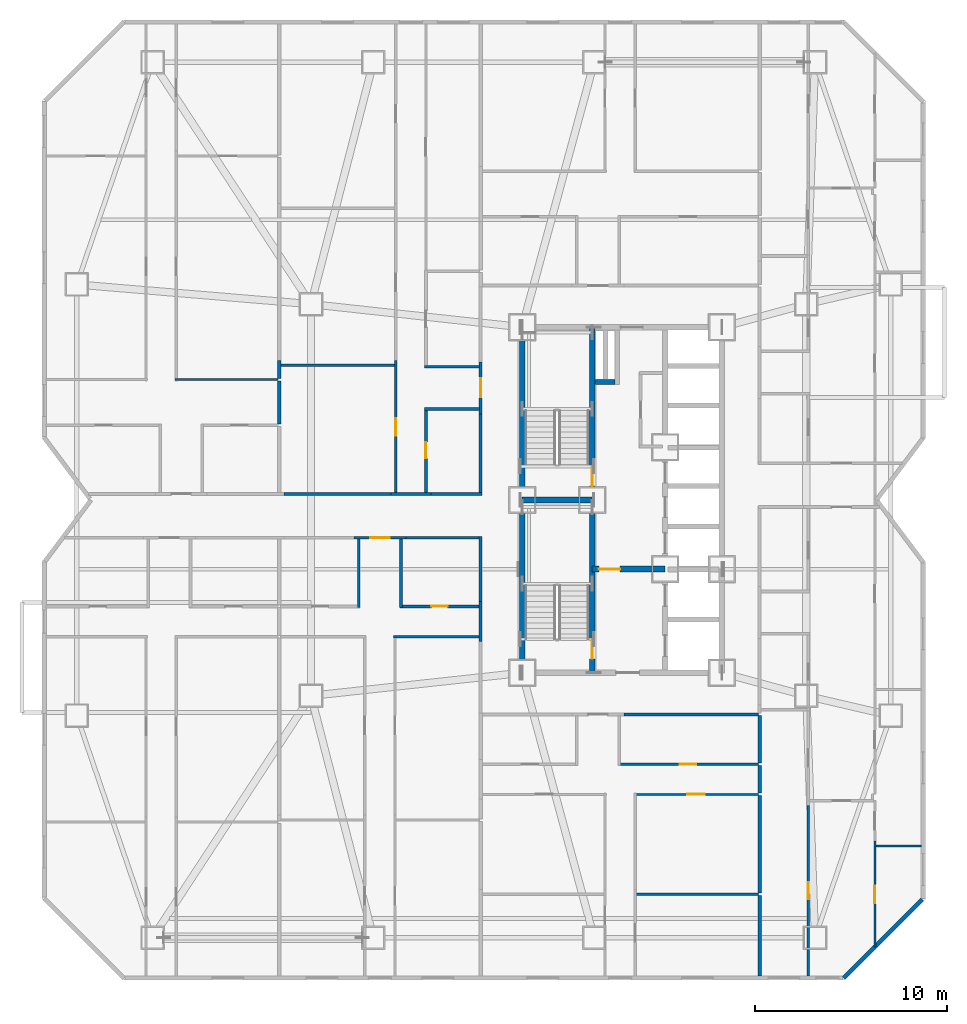
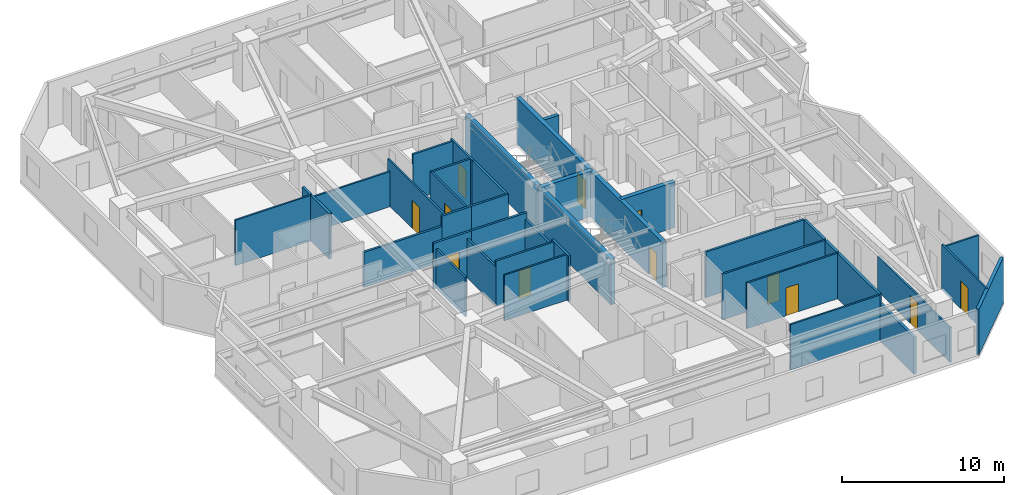
# One storey, part 9 of 14: 40 walls, 12 doors, 12 openings.
"""IFC4 building model written with IfcOpenShell, lengths in metres."""

from ifc_helpers import new_model, si_unit, direction, frame, frame_2d, origin, place, context, subcontext, project, spatial, rectangle, extrude, material, layer, layer_set, type_object, element, fill, save


model = new_model("IFC4")

# Units and contexts
model_context = context("Model", 3, precision=1e-05, world=origin(), true_north=direction((0.0, 1.0)))
body_context = subcontext(model_context, "Body", "Model", "MODEL_VIEW")
ifc_project = project(units=[si_unit("LENGTHUNIT", "METRE"), si_unit("AREAUNIT", "SQUARE_METRE"), si_unit("VOLUMEUNIT", "CUBIC_METRE"), si_unit("PLANEANGLEUNIT", "RADIAN"), si_unit("MASSUNIT", "GRAM", prefix="KILO")], contexts=[model_context])

# Site, building, storey
site_placement = place(None, origin())
site = spatial("IfcSite", under=ifc_project, at=site_placement, CompositionType="ELEMENT")
building_placement = place(site_placement, origin())
building = spatial("IfcBuilding", under=site, at=building_placement, Name="Khamvora Tower", CompositionType="ELEMENT")
storey_placement = place(building_placement, frame((0.0, 0.0, 40.60009765625)))
storey = spatial("IfcBuildingStorey", under=building, at=storey_placement, Name="L09", CompositionType="ELEMENT", Elevation=40.60009765625)

# Walls
ifc_material_1 = material(Name="Concrete C50/60", Category="concrete")
ifc_layer_1 = layer(ifc_material_1, 0.300048828125)
ifc_layer_set_1 = layer_set([ifc_layer_1], Name="Concrete C50/60")
wall_type_1 = type_object("IfcWallType", Name="WAL-CORE-300", PredefinedType="SHEAR", material=ifc_layer_set_1)
for number, where, z_axis, x_axis, name in (
    (1, (29.0, 19.0, 0.0), (0.0, 0.0, 1.0), (0.0, 1.0, 0.0), "L09 central core west south wall"),
    (2, (29.0, 28.0, 0.0), (0.0, 0.0, 1.0), (0.0, 1.0, 0.0), "L09 central core west north wall"),
):
    element("IfcWall", number, at=place(storey_placement, frame(where, z_axis=z_axis, x_axis=x_axis)), inside=storey, type_object=wall_type_1, Name=name, PredefinedType="SHEAR", context=body_context, shape_type="SweptSolid", body=[
        extrude(rectangle(XDim=9.0, YDim=0.300048828125, at=frame_2d((4.5, 0.0))), origin(), (0.0, 0.0, 1.0), 3.429931640625),
    ])

# Wall, opening, door
wall_1_placement = place(storey_placement, frame((32.64990234375, 19.0, 0.0), z_axis=(0.0, 0.0, 1.0), x_axis=(0.0, 1.0, 0.0)))
wall_1 = element("IfcWall", 3, at=wall_1_placement, inside=storey, type_object=wall_type_1, Name="L09 central core stair south spine wall", PredefinedType="SHEAR", context=body_context, shape_type="SweptSolid", body=[
    extrude(rectangle(XDim=9.0, YDim=0.300048828125, at=frame_2d((4.5, 0.0))), origin(), (0.0, 0.0, 1.0), 3.429931640625),
])
opening_1_placement = place(wall_1_placement, frame((0.719970703125, 0.0, 0.0)))
opening_1 = element("IfcOpeningElement", 4, at=opening_1_placement, cuts=wall_1, Name="Opening D-ST1", PredefinedType="OPENING", context=body_context, shape_type="SweptSolid", body=[
    extrude(rectangle(XDim=1.0, YDim=2.14990234375, at=frame_2d((0.5, 1.074951171875))), frame((0.0, 0.159912109375, 0.0), z_axis=(0.0, -1.0, 0.0), x_axis=(1.0, 0.0, 0.0)), (0.0, 0.0, 1.0), 0.320068359375),
])
ifc_material_2 = material(Name="Powder-Coated Steel and Hardwood Leaf", Category="steel")
door_type_1 = type_object("IfcDoorType", Name="DOR-STAIR-1000", OperationType="NOTDEFINED", PredefinedType="DOOR", material=ifc_material_2)
door_1_placement = place(opening_1_placement, origin())
door_1 = element("IfcDoor", 5, at=door_1_placement, inside=storey, type_object=door_type_1, Name="L09 exit stair ST-01 fire door", OperationType="SINGLE_SWING_RIGHT", OverallHeight=2.14990234375, OverallWidth=1.0, PredefinedType="DOOR", context=body_context, shape_type="SweptSolid", body=[
    extrude(rectangle(XDim=1.0, YDim=2.14990234375, at=frame_2d((0.5, 1.074951171875))), frame((0.0, 0.02490234375, 0.0), z_axis=(0.0, -1.0, 0.0), x_axis=(1.0, 0.0, 0.0)), (0.0, 0.0, 1.0), 0.050048828125),
])
fill(opening_1, door_1)

wall_2_placement = place(storey_placement, frame((32.64990234375, 28.0, 0.0), z_axis=(0.0, 0.0, 1.0), x_axis=(0.0, 1.0, 0.0)))
wall_2 = element("IfcWall", 6, at=wall_2_placement, inside=storey, type_object=wall_type_1, Name="L09 central core stair north spine wall", PredefinedType="SHEAR", context=body_context, shape_type="SweptSolid", body=[
    extrude(rectangle(XDim=9.0, YDim=0.300048828125, at=frame_2d((4.5, 0.0))), origin(), (0.0, 0.0, 1.0), 3.429931640625),
])
opening_2_placement = place(wall_2_placement, frame((0.719970703125, 0.0, 0.0)))
opening_2 = element("IfcOpeningElement", 7, at=opening_2_placement, cuts=wall_2, Name="Opening D-ST1", PredefinedType="OPENING", context=body_context, shape_type="SweptSolid", body=[
    extrude(rectangle(XDim=1.0, YDim=2.14990234375, at=frame_2d((0.5, 1.074951171875))), frame((0.0, 0.159912109375, 0.0), z_axis=(0.0, -1.0, 0.0), x_axis=(1.0, 0.0, 0.0)), (0.0, 0.0, 1.0), 0.320068359375),
])
door_2_placement = place(opening_2_placement, origin())
door_2 = element("IfcDoor", 8, at=door_2_placement, inside=storey, type_object=door_type_1, Name="L09 exit stair ST-02 fire door", OperationType="SINGLE_SWING_RIGHT", OverallHeight=2.14990234375, OverallWidth=1.0, PredefinedType="DOOR", context=body_context, shape_type="SweptSolid", body=[
    extrude(rectangle(XDim=1.0, YDim=2.14990234375, at=frame_2d((0.5, 1.074951171875))), frame((0.0, 0.02490234375, 0.0), z_axis=(0.0, -1.0, 0.0), x_axis=(1.0, 0.0, 0.0)), (0.0, 0.0, 1.0), 0.050048828125),
])
fill(opening_2, door_2)

# Wall
wall_3_placement = place(storey_placement, frame((29.0, 28.0, 0.0), z_axis=(0.0, 0.0, 1.0), x_axis=(1.0, 0.0, 0.0)))
element("IfcWall", 9, at=wall_3_placement, inside=storey, type_object=wall_type_1, Name="L09 central core stair cross wall", PredefinedType="SHEAR", context=body_context, shape_type="SweptSolid", body=[
    extrude(rectangle(XDim=3.64990234375, YDim=0.300048828125, at=frame_2d((1.824951171875, 0.0))), origin(), (0.0, 0.0, 1.0), 3.429931640625),
])

# Wall, opening, door
wall_4_placement = place(storey_placement, frame((32.64990234375, 24.39990234375, 0.0), z_axis=(0.0, 0.0, 1.0), x_axis=(1.0, 0.0, 0.0)))
wall_4 = element("IfcWall", 10, at=wall_4_placement, inside=storey, type_object=wall_type_1, Name="L09 central core firefighting lobby north wall", PredefinedType="SHEAR", context=body_context, shape_type="SweptSolid", body=[
    extrude(rectangle(XDim=3.800048828125, YDim=0.300048828125, at=frame_2d((1.89990234375, 0.0))), origin(), (0.0, 0.0, 1.0), 3.429931640625),
])
opening_3_placement = place(wall_4_placement, frame((0.35009765625, 0.0, 0.0)))
opening_3 = element("IfcOpeningElement", 11, at=opening_3_placement, cuts=wall_4, Name="Opening D-FF1", PredefinedType="OPENING", context=body_context, shape_type="SweptSolid", body=[
    extrude(rectangle(XDim=1.10009765625, YDim=2.14990234375, at=frame_2d((0.550048828125, 1.074951171875))), frame((0.0, 0.159912109375, 0.0), z_axis=(0.0, -1.0, 0.0), x_axis=(1.0, 0.0, 0.0)), (0.0, 0.0, 1.0), 0.320068359375),
])
door_type_2 = type_object("IfcDoorType", Name="DOR-FFLOB-1100", OperationType="NOTDEFINED", PredefinedType="DOOR", material=ifc_material_2)
door_3_placement = place(opening_3_placement, origin())
door_3 = element("IfcDoor", 12, at=door_3_placement, inside=storey, type_object=door_type_2, Name="L09 firefighting lobby smoke-seal fire door", OperationType="SINGLE_SWING_RIGHT", OverallHeight=2.14990234375, OverallWidth=1.10009765625, PredefinedType="DOOR", context=body_context, shape_type="SweptSolid", body=[
    extrude(rectangle(XDim=1.10009765625, YDim=2.14990234375, at=frame_2d((0.550048828125, 1.074951171875))), frame((0.0, 0.02490234375, 0.0), z_axis=(0.0, -1.0, 0.0), x_axis=(1.0, 0.0, 0.0)), (0.0, 0.0, 1.0), 0.050048828125),
])
fill(opening_3, door_3)

# Wall
ifc_material_3 = material(Name="Fire-Rated Drywall and Steel Stud", Category="steel")
ifc_layer_2 = layer(ifc_material_3, 0.14990234375)
ifc_layer_set_2 = layer_set([ifc_layer_2], Name="Fire-Rated Drywall and Steel Stud")
wall_type_2 = type_object("IfcWallType", Name="WAL-CORR-150", PredefinedType="STANDARD", material=ifc_layer_set_2)
wall_5_placement = place(storey_placement, frame((26.8349609375, 20.6259765625, 0.0), z_axis=(0.0, 0.0, 1.0), x_axis=(0.0, 1.0, 0.0)))
element("IfcWall", 13, at=wall_5_placement, inside=storey, type_object=wall_type_2, Name="L09 interior partition wall 007", PredefinedType="STANDARD", context=body_context, shape_type="SweptSolid", body=[
    extrude(rectangle(XDim=2.078125, YDim=0.14990234375, at=frame_2d((1.0390625, 0.0))), origin(), (0.0, 0.0, 1.0), 3.429931640625),
])

# Wall, opening, door
wall_6_placement = place(storey_placement, frame((22.93994140625, 26.034912109375, 0.0), z_axis=(0.0, 0.0, 1.0), x_axis=(-1.0, 0.0, 0.0)))
wall_6 = element("IfcWall", 14, at=wall_6_placement, inside=storey, type_object=wall_type_2, Name="L09 interior partition wall 008", PredefinedType="STANDARD", context=body_context, shape_type="SweptSolid", body=[
    extrude(rectangle(XDim=2.697998046875, YDim=0.14990234375, at=frame_2d((1.34912109375, 0.0))), origin(), (0.0, 0.0, 1.0), 3.429931640625),
])
opening_4_placement = place(wall_6_placement, frame((0.84912109375, 0.0, 0.0)))
opening_4 = element("IfcOpeningElement", 15, at=opening_4_placement, cuts=wall_6, Name="Opening D-U1", PredefinedType="OPENING", context=body_context, shape_type="SweptSolid", body=[
    extrude(rectangle(XDim=1.0, YDim=2.14990234375, at=frame_2d((0.5, 1.074951171875))), frame((0.0, 0.0849609375, 0.0), z_axis=(0.0, -1.0, 0.0), x_axis=(1.0, 0.0, 0.0)), (0.0, 0.0, 1.0), 0.169921875),
])
door_type_3 = type_object("IfcDoorType", Name="DOR-UNIT-1000", OperationType="NOTDEFINED", PredefinedType="DOOR", material=ifc_material_2)
door_4_placement = place(opening_4_placement, origin())
door_4 = element("IfcDoor", 16, at=door_4_placement, inside=storey, type_object=door_type_3, Name="L09 interior door COR-09WA2H", OperationType="SINGLE_SWING_LEFT", OverallHeight=2.14990234375, OverallWidth=1.0, PredefinedType="DOOR", context=body_context, shape_type="SweptSolid", body=[
    extrude(rectangle(XDim=1.0, YDim=2.14990234375, at=frame_2d((0.5, 1.074951171875))), frame((0.0, 0.02490234375, 0.0), z_axis=(0.0, -1.0, 0.0), x_axis=(1.0, 0.0, 0.0)), (0.0, 0.0, 1.0), 0.050048828125),
])
fill(opening_4, door_4)

# Walls
wall_7_placement = place(storey_placement, frame((26.8349609375, 22.7041015625, 0.0), z_axis=(0.0, 0.0, 1.0), x_axis=(0.0, 1.0, 0.0)))
element("IfcWall", 17, at=wall_7_placement, inside=storey, type_object=wall_type_2, Name="L09 interior partition wall 010", PredefinedType="STANDARD", context=body_context, shape_type="SweptSolid", body=[
    extrude(rectangle(XDim=3.39599609375, YDim=0.14990234375, at=frame_2d((1.697998046875, 0.0))), origin(), (0.0, 0.0, 1.0), 2.956787109375),
])
wall_8_placement = place(storey_placement, frame((26.89794921875, 26.034912109375, 0.0), z_axis=(0.0, 0.0, 1.0), x_axis=(-1.0, 0.0, 0.0)))
element("IfcWall", 18, at=wall_8_placement, inside=storey, type_object=wall_type_2, Name="L09 interior partition wall 011", PredefinedType="STANDARD", context=body_context, shape_type="SweptSolid", body=[
    extrude(rectangle(XDim=3.9580078125, YDim=0.14990234375, at=frame_2d((1.97900390625, 0.0))), origin(), (0.0, 0.0, 1.0), 3.429931640625),
])
wall_9_placement = place(storey_placement, frame((22.160888671875, 28.31494140625, 0.0), z_axis=(0.0, 0.0, 1.0), x_axis=(1.0, 0.0, 0.0)))
element("IfcWall", 19, at=wall_9_placement, inside=storey, type_object=wall_type_2, Name="L09 interior partition wall 016", PredefinedType="STANDARD", context=body_context, shape_type="SweptSolid", body=[
    extrude(rectangle(XDim=2.0791015625, YDim=0.14990234375, at=frame_2d((1.03955078125, 0.0))), origin(), (0.0, 0.0, 1.0), 3.429931640625),
])

# Wall, opening, door
wall_10_placement = place(storey_placement, frame((26.8349609375, 32.491943359375, 0.0), z_axis=(0.0, 0.0, 1.0), x_axis=(0.0, 1.0, 0.0)))
wall_10 = element("IfcWall", 20, at=wall_10_placement, inside=storey, type_object=wall_type_2, Name="L09 interior partition wall 017", PredefinedType="STANDARD", context=body_context, shape_type="SweptSolid", body=[
    extrude(rectangle(XDim=2.697998046875, YDim=0.14990234375, at=frame_2d((1.34912109375, 0.0))), origin(), (0.0, 0.0, 1.0), 3.429931640625),
])
opening_5_placement = place(wall_10_placement, frame((0.84912109375, 0.0, 0.0)))
opening_5 = element("IfcOpeningElement", 21, at=opening_5_placement, cuts=wall_10, Name="Opening D-U1", PredefinedType="OPENING", context=body_context, shape_type="SweptSolid", body=[
    extrude(rectangle(XDim=1.0, YDim=2.14990234375, at=frame_2d((0.5, 1.074951171875))), frame((0.0, 0.0849609375, 0.0), z_axis=(0.0, -1.0, 0.0), x_axis=(1.0, 0.0, 0.0)), (0.0, 0.0, 1.0), 0.169921875),
])
door_5_placement = place(opening_5_placement, origin())
door_5 = element("IfcDoor", 22, at=door_5_placement, inside=storey, type_object=door_type_3, Name="L09 interior door COR-09WB2H", OperationType="SINGLE_SWING_LEFT", OverallHeight=2.14990234375, OverallWidth=1.0, PredefinedType="DOOR", context=body_context, shape_type="SweptSolid", body=[
    extrude(rectangle(XDim=1.0, YDim=2.14990234375, at=frame_2d((0.5, 1.074951171875))), frame((0.0, 0.02490234375, 0.0), z_axis=(0.0, -1.0, 0.0), x_axis=(1.0, 0.0, 0.0)), (0.0, 0.0, 1.0), 0.050048828125),
])
fill(opening_5, door_5)

# Walls
wall_11_placement = place(storey_placement, frame((24.239990234375, 28.31494140625, 0.0), z_axis=(0.0, 0.0, 1.0), x_axis=(1.0, 0.0, 0.0)))
element("IfcWall", 23, at=wall_11_placement, inside=storey, type_object=wall_type_2, Name="L09 interior partition wall 018", PredefinedType="STANDARD", context=body_context, shape_type="SweptSolid", body=[
    extrude(rectangle(XDim=2.659912109375, YDim=0.14990234375, at=frame_2d((1.330078125, 0.0))), origin(), (0.0, 0.0, 1.0), 3.429931640625),
])
wall_12_placement = place(storey_placement, frame((26.8349609375, 28.25, 0.0), z_axis=(0.0, 0.0, 1.0), x_axis=(0.0, 1.0, 0.0)))
element("IfcWall", 24, at=wall_12_placement, inside=storey, type_object=wall_type_2, Name="L09 interior partition wall 019", PredefinedType="STANDARD", context=body_context, shape_type="SweptSolid", body=[
    extrude(rectangle(XDim=4.241943359375, YDim=0.14990234375, at=frame_2d((2.12109375, 0.0))), origin(), (0.0, 0.0, 1.0), 3.429931640625),
])
wall_13_placement = place(storey_placement, frame((16.595947265625, 28.31494140625, 0.0), z_axis=(0.0, 0.0, 1.0), x_axis=(1.0, 0.0, 0.0)))
element("IfcWall", 25, at=wall_13_placement, inside=storey, type_object=wall_type_2, Name="L09 interior partition wall 021", PredefinedType="STANDARD", context=body_context, shape_type="SweptSolid", body=[
    extrude(rectangle(XDim=5.56494140625, YDim=0.14990234375, at=frame_2d((2.782470703125, 0.0))), origin(), (0.0, 0.0, 1.0), 2.64697265625),
])
wall_14_placement = place(storey_placement, frame((41.300048828125, 16.8349609375, 0.0), z_axis=(0.0, 0.0, 1.0), x_axis=(-1.0, 0.0, 0.0)))
element("IfcWall", 26, at=wall_14_placement, inside=storey, type_object=wall_type_2, Name="L09 interior partition wall 024", PredefinedType="STANDARD", context=body_context, shape_type="SweptSolid", body=[
    extrude(rectangle(XDim=7.0009765625, YDim=0.14990234375, at=frame_2d((3.50048828125, 0.0))), origin(), (0.0, 0.0, 1.0), 3.429931640625),
])
ifc_material_4 = material(Name="Acoustic Double-Stud Fire Wall", Category="gypsum")
ifc_layer_3 = layer(ifc_material_4, 0.179931640625)
ifc_layer_set_3 = layer_set([ifc_layer_3], Name="Acoustic Double-Stud Fire Wall")
wall_type_3 = type_object("IfcWallType", Name="WAL-CORR-180", PredefinedType="STANDARD", material=ifc_layer_set_3)
wall_15_placement = place(storey_placement, frame((16.345947265625, 34.2099609375, 0.0), z_axis=(0.0, 0.0, 1.0), x_axis=(0.0, -1.0, 0.0)))
element("IfcWall", 27, at=wall_15_placement, inside=storey, type_object=wall_type_3, Name="L09 interior partition wall 083", PredefinedType="STANDARD", context=body_context, shape_type="SweptSolid", body=[
    extrude(rectangle(XDim=2.25, YDim=0.179931640625, at=frame_2d((1.125, 0.0))), origin(), (0.0, 0.0, 1.0), 3.429931640625),
])
wall_16_placement = place(storey_placement, frame((16.345947265625, 35.27099609375, 0.0), z_axis=(0.0, 0.0, 1.0), x_axis=(0.0, -1.0, 0.0)))
element("IfcWall", 28, at=wall_16_placement, inside=storey, type_object=wall_type_3, Name="L09 interior partition wall 087", PredefinedType="STANDARD", context=body_context, shape_type="SweptSolid", body=[
    extrude(rectangle(XDim=0.930908203125, YDim=0.179931640625, at=frame_2d((0.46533203125, 0.0))), origin(), (0.0, 0.0, 1.0), 3.429931640625),
])
wall_17_placement = place(storey_placement, frame((41.364990234375, 14.180908203125, 0.0), z_axis=(0.0, 0.0, 1.0), x_axis=(0.0, -1.0, 0.0)))
element("IfcWall", 29, at=wall_17_placement, inside=storey, type_object=wall_type_3, Name="L09 interior partition wall 116", PredefinedType="STANDARD", context=body_context, shape_type="SweptSolid", body=[
    extrude(rectangle(XDim=1.449951171875, YDim=0.179931640625, at=frame_2d((0.72509765625, 0.0))), origin(), (0.0, 0.0, 1.0), 3.429931640625),
])
wall_18_placement = place(storey_placement, frame((41.364990234375, 16.77001953125, 0.0), z_axis=(0.0, 0.0, 1.0), x_axis=(0.0, -1.0, 0.0)))
element("IfcWall", 30, at=wall_18_placement, inside=storey, type_object=wall_type_3, Name="L09 interior partition wall 117", PredefinedType="STANDARD", context=body_context, shape_type="SweptSolid", body=[
    extrude(rectangle(XDim=2.458984375, YDim=0.179931640625, at=frame_2d((1.2294921875, 0.0))), origin(), (0.0, 0.0, 1.0), 3.429931640625),
])
wall_19_placement = place(storey_placement, frame((41.364990234375, 7.39794921875, 0.0), z_axis=(0.0, 0.0, 1.0), x_axis=(0.0, -1.0, 0.0)))
element("IfcWall", 31, at=wall_19_placement, inside=storey, type_object=wall_type_3, Name="L09 interior partition wall 120", PredefinedType="STANDARD", context=body_context, shape_type="SweptSolid", body=[
    extrude(rectangle(XDim=4.18603515625, YDim=0.179931640625, at=frame_2d((2.093017578125, 0.0))), origin(), (0.0, 0.0, 1.0), 2.802978515625),
])
wall_20_placement = place(storey_placement, frame((41.364990234375, 12.60107421875, 0.0), z_axis=(0.0, 0.0, 1.0), x_axis=(0.0, -1.0, 0.0)))
element("IfcWall", 32, at=wall_20_placement, inside=storey, type_object=wall_type_3, Name="L09 interior partition wall 121", PredefinedType="STANDARD", context=body_context, shape_type="SweptSolid", body=[
    extrude(rectangle(XDim=5.072998046875, YDim=0.179931640625, at=frame_2d((2.53662109375, 0.0))), origin(), (0.0, 0.0, 1.0), 3.429931640625),
])
ifc_material_5 = material(Name="Precast concrete C40/50", Category="concrete")
ifc_layer_4 = layer(ifc_material_5, 0.219970703125)
ifc_layer_set_4 = layer_set([ifc_layer_4], Name="Precast concrete C40/50")
wall_type_4 = type_object("IfcWallType", Name="WAL-EXT-220", PredefinedType="STANDARD", material=ifc_layer_set_4)
wall_21_placement = place(storey_placement, frame((49.840087890625, 7.196044921875, 0.0), z_axis=(0.0, 0.0, 1.0), x_axis=(-0.707127905562, -0.70708565618, 0.0)))
element("IfcWall", 33, at=wall_21_placement, inside=storey, type_object=wall_type_4, Name="L09 exterior facade wall 13.1", PredefinedType="STANDARD", context=body_context, shape_type="SweptSolid", body=[
    extrude(rectangle(XDim=5.778564453125, YDim=0.219970703125, at=frame_2d((2.88916015625, 0.0))), origin(), (0.0, 0.0, 1.0), 3.429931640625),
])
ifc_material_6 = material(Name="Gypsum Plasterboard Partition", Category="gypsum")
ifc_layer_5 = layer(ifc_material_6, 0.1201171875)
ifc_layer_set_5 = layer_set([ifc_layer_5], Name="Gypsum Plasterboard Partition")
wall_type_5 = type_object("IfcWallType", Name="WAL-PART-120", PredefinedType="PARTITIONING", material=ifc_layer_set_5)
wall_22_placement = place(storey_placement, frame((26.77001953125, 20.875, 0.0), z_axis=(0.0, 0.0, 1.0), x_axis=(-1.0, 0.0, 0.0)))
element("IfcWall", 34, at=wall_22_placement, inside=storey, type_object=wall_type_5, Name="L09 interior partition wall 065", PredefinedType="PARTITIONING", context=body_context, shape_type="SweptSolid", body=[
    extrude(rectangle(XDim=4.458984375, YDim=0.1201171875, at=frame_2d((2.2294921875, 0.0))), origin(), (0.0, 0.0, 1.0), 3.429931640625),
])
wall_23_placement = place(storey_placement, frame((10.916015625, 34.27490234375, 0.0), z_axis=(0.0, 0.0, 1.0), x_axis=(1.0, 0.0, 0.0)))
element("IfcWall", 35, at=wall_23_placement, inside=storey, type_object=wall_type_5, Name="L09 interior partition wall 081", PredefinedType="PARTITIONING", context=body_context, shape_type="SweptSolid", body=[
    extrude(rectangle(XDim=5.364990234375, YDim=0.1201171875, at=frame_2d((2.6826171875, 0.0))), origin(), (0.0, 0.0, 1.0), 3.429931640625),
])

# Wall, opening, door
wall_24_placement = place(storey_placement, frame((22.409912109375, 28.382080078125, 0.0), z_axis=(0.0, 0.0, 1.0), x_axis=(0.0, 1.0, 0.0)))
wall_24 = element("IfcWall", 36, at=wall_24_placement, inside=storey, type_object=wall_type_5, Name="L09 interior partition wall 100", PredefinedType="PARTITIONING", context=body_context, shape_type="SweptSolid", body=[
    extrude(rectangle(XDim=6.888916015625, YDim=0.1201171875, at=frame_2d((3.4443359375, 0.0))), origin(), (0.0, 0.0, 1.0), 3.429931640625),
])
opening_6_placement = place(wall_24_placement, frame((2.97412109375, 0.0, 0.0)))
opening_6 = element("IfcOpeningElement", 37, at=opening_6_placement, cuts=wall_24, Name="Opening D-RM1", PredefinedType="OPENING", context=body_context, shape_type="SweptSolid", body=[
    extrude(rectangle(XDim=0.89990234375, YDim=2.10009765625, at=frame_2d((0.449951171875, 1.050048828125))), frame((0.0, 0.070068359375, 0.0), z_axis=(0.0, -1.0, 0.0), x_axis=(1.0, 0.0, 0.0)), (0.0, 0.0, 1.0), 0.14013671875),
])
door_type_4 = type_object("IfcDoorType", Name="DOR-ROOM-900", OperationType="NOTDEFINED", PredefinedType="DOOR", material=ifc_material_2)
door_6_placement = place(opening_6_placement, origin())
door_6 = element("IfcDoor", 38, at=door_6_placement, inside=storey, type_object=door_type_4, Name="L09 interior door 09WB2H-09WB2R1", OperationType="SINGLE_SWING_LEFT", OverallHeight=2.10009765625, OverallWidth=0.89990234375, PredefinedType="DOOR", context=body_context, shape_type="SweptSolid", body=[
    extrude(rectangle(XDim=0.89990234375, YDim=2.10009765625, at=frame_2d((0.449951171875, 1.050048828125))), frame((0.0, 0.02490234375, 0.0), z_axis=(0.0, -1.0, 0.0), x_axis=(1.0, 0.0, 0.0)), (0.0, 0.0, 1.0), 0.050048828125),
])
fill(opening_6, door_6)

# Wall
wall_25_placement = place(storey_placement, frame((16.427978515625, 35.02197265625, 0.0), z_axis=(0.0, 0.0, 1.0), x_axis=(1.0, 0.0, 0.0)))
element("IfcWall", 39, at=wall_25_placement, inside=storey, type_object=wall_type_5, Name="L09 interior partition wall 104", PredefinedType="PARTITIONING", context=body_context, shape_type="SweptSolid", body=[
    extrude(rectangle(XDim=5.927978515625, YDim=0.1201171875, at=frame_2d((2.9638671875, 0.0))), origin(), (0.0, 0.0, 1.0), 2.64697265625),
])

# Wall, opening, door
wall_26_placement = place(storey_placement, frame((41.300048828125, 12.666015625, 0.0), z_axis=(0.0, 0.0, 1.0), x_axis=(-1.0, 0.0, 0.0)))
wall_26 = element("IfcWall", 40, at=wall_26_placement, inside=storey, type_object=wall_type_5, Name="L09 interior partition wall 114", PredefinedType="PARTITIONING", context=body_context, shape_type="SweptSolid", body=[
    extrude(rectangle(XDim=6.47998046875, YDim=0.1201171875, at=frame_2d((3.239990234375, 0.0))), origin(), (0.0, 0.0, 1.0), 3.429931640625),
])
opening_7_placement = place(wall_26_placement, frame((2.7900390625, 0.0, 0.0)))
opening_7 = element("IfcOpeningElement", 41, at=opening_7_placement, cuts=wall_26, Name="Opening D-RM1", PredefinedType="OPENING", context=body_context, shape_type="SweptSolid", body=[
    extrude(rectangle(XDim=0.89990234375, YDim=2.10009765625, at=frame_2d((0.449951171875, 1.050048828125))), frame((0.0, 0.070068359375, 0.0), z_axis=(0.0, -1.0, 0.0), x_axis=(1.0, 0.0, 0.0)), (0.0, 0.0, 1.0), 0.14013671875),
])
door_7_placement = place(opening_7_placement, origin())
door_7 = element("IfcDoor", 42, at=door_7_placement, inside=storey, type_object=door_type_4, Name="L09 interior door 09SAH-09SAR4", OperationType="SINGLE_SWING_LEFT", OverallHeight=2.10009765625, OverallWidth=0.89990234375, PredefinedType="DOOR", context=body_context, shape_type="SweptSolid", body=[
    extrude(rectangle(XDim=0.89990234375, YDim=2.10009765625, at=frame_2d((0.449951171875, 1.050048828125))), frame((0.0, 0.02490234375, 0.0), z_axis=(0.0, -1.0, 0.0), x_axis=(1.0, 0.0, 0.0)), (0.0, 0.0, 1.0), 0.050048828125),
])
fill(opening_7, door_7)

# Wall
wall_27_placement = place(storey_placement, frame((34.93896484375, 7.462890625, 0.0), z_axis=(0.0, 0.0, 1.0), x_axis=(1.0, 0.0, 0.0)))
element("IfcWall", 43, at=wall_27_placement, inside=storey, type_object=wall_type_5, Name="L09 interior partition wall 119", PredefinedType="PARTITIONING", context=body_context, shape_type="SweptSolid", body=[
    extrude(rectangle(XDim=6.361083984375, YDim=0.1201171875, at=frame_2d((3.1806640625, 0.0))), origin(), (0.0, 0.0, 1.0), 3.429931640625),
])

# Wall, opening, door
wall_28_placement = place(storey_placement, frame((43.89501953125, 12.091064453125, 0.0), z_axis=(0.0, 0.0, 1.0), x_axis=(0.0, -1.0, 0.0)))
wall_28 = element("IfcWall", 44, at=wall_28_placement, inside=storey, type_object=wall_type_5, Name="L09 interior partition wall 135", PredefinedType="PARTITIONING", context=body_context, shape_type="SweptSolid", body=[
    extrude(rectangle(XDim=8.879150390625, YDim=0.1201171875, at=frame_2d((4.439453125, 0.0))), origin(), (0.0, 0.0, 1.0), 2.64697265625),
])
opening_8_placement = place(wall_28_placement, frame((3.989013671875, 0.0, 0.0)))
opening_8 = element("IfcOpeningElement", 45, at=opening_8_placement, cuts=wall_28, Name="Opening D-RM1", PredefinedType="OPENING", context=body_context, shape_type="SweptSolid", body=[
    extrude(rectangle(XDim=0.89990234375, YDim=2.10009765625, at=frame_2d((0.449951171875, 1.050048828125))), frame((0.0, 0.070068359375, 0.0), z_axis=(0.0, -1.0, 0.0), x_axis=(1.0, 0.0, 0.0)), (0.0, 0.0, 1.0), 0.14013671875),
])
door_8_placement = place(opening_8_placement, origin())
door_8 = element("IfcDoor", 46, at=door_8_placement, inside=storey, type_object=door_type_4, Name="L09 interior door 09EAW1-09EAD", OperationType="SINGLE_SWING_LEFT", OverallHeight=2.10009765625, OverallWidth=0.89990234375, PredefinedType="DOOR", context=body_context, shape_type="SweptSolid", body=[
    extrude(rectangle(XDim=0.89990234375, YDim=2.10009765625, at=frame_2d((0.449951171875, 1.050048828125))), frame((0.0, 0.02490234375, 0.0), z_axis=(0.0, -1.0, 0.0), x_axis=(1.0, 0.0, 0.0)), (0.0, 0.0, 1.0), 0.050048828125),
])
fill(opening_8, door_8)

wall_29_placement = place(storey_placement, frame((47.375, 10.22802734375, 0.0), z_axis=(0.0, 0.0, 1.0), x_axis=(0.0, -1.0, 0.0)))
wall_29 = element("IfcWall", 47, at=wall_29_placement, inside=storey, type_object=wall_type_5, Name="L09 interior partition wall 145", PredefinedType="PARTITIONING", context=body_context, shape_type="SweptSolid", body=[
    extrude(rectangle(XDim=5.506103515625, YDim=0.1201171875, at=frame_2d((2.7529296875, 0.0))), origin(), (0.0, 0.0, 1.0), 3.429931640625),
])
opening_9_placement = place(wall_29_placement, frame((2.323974609375, 0.0, 0.0)))
opening_9 = element("IfcOpeningElement", 48, at=opening_9_placement, cuts=wall_29, Name="Opening D-RM1", PredefinedType="OPENING", context=body_context, shape_type="SweptSolid", body=[
    extrude(rectangle(XDim=0.89990234375, YDim=2.10009765625, at=frame_2d((0.449951171875, 1.050048828125))), frame((0.0, 0.070068359375, 0.0), z_axis=(0.0, -1.0, 0.0), x_axis=(1.0, 0.0, 0.0)), (0.0, 0.0, 1.0), 0.14013671875),
])
door_9_placement = place(opening_9_placement, origin())
door_9 = element("IfcDoor", 49, at=door_9_placement, inside=storey, type_object=door_type_4, Name="L09 interior door 09EAD-09EAL", OperationType="SINGLE_SWING_LEFT", OverallHeight=2.10009765625, OverallWidth=0.89990234375, PredefinedType="DOOR", context=body_context, shape_type="SweptSolid", body=[
    extrude(rectangle(XDim=0.89990234375, YDim=2.10009765625, at=frame_2d((0.449951171875, 1.050048828125))), frame((0.0, 0.02490234375, 0.0), z_axis=(0.0, -1.0, 0.0), x_axis=(1.0, 0.0, 0.0)), (0.0, 0.0, 1.0), 0.050048828125),
])
fill(opening_9, door_9)

# Walls
wall_30_placement = place(storey_placement, frame((47.428955078125, 9.97900390625, 0.0), z_axis=(0.0, 0.0, 1.0), x_axis=(1.0, 0.0, 0.0)))
element("IfcWall", 50, at=wall_30_placement, inside=storey, type_object=wall_type_5, Name="L09 interior partition wall 147", PredefinedType="PARTITIONING", context=body_context, shape_type="SweptSolid", body=[
    extrude(rectangle(XDim=2.359130859375, YDim=0.1201171875, at=frame_2d((1.1796875, 0.0))), origin(), (0.0, 0.0, 1.0), 3.429931640625),
])
ifc_material_7 = material(Name="Concrete C40/50", Category="concrete")
ifc_layer_6 = layer(ifc_material_7, 0.25)
ifc_layer_set_6 = layer_set([ifc_layer_6], Name="Concrete C40/50")
wall_type_6 = type_object("IfcWallType", Name="WAL-PODS-250", PredefinedType="SHEAR", material=ifc_layer_set_6)
wall_31_placement = place(storey_placement, frame((32.803955078125, 34.14990234375, 0.0), z_axis=(0.0, 0.0, 1.0), x_axis=(1.0, 0.0, 0.0)))
element("IfcWall", 51, at=wall_31_placement, inside=storey, type_object=wall_type_6, Name="L09 vertical MEP riser shaft south enclosure wall", PredefinedType="SHEAR", context=body_context, shape_type="SweptSolid", body=[
    extrude(rectangle(XDim=1.02197265625, YDim=0.25, at=frame_2d((0.510986328125, 0.0))), origin(), (0.0, 0.0, 1.0), 3.429931640625),
])
ifc_material_8 = material(Name="Moisture-Resistant Plasterboard Partition", Category="gypsum")
ifc_layer_7 = layer(ifc_material_8, 0.135009765625)
ifc_layer_set_7 = layer_set([ifc_layer_7], Name="Moisture-Resistant Plasterboard Partition")
wall_type_7 = type_object("IfcWallType", Name="WAL-WET-135", PredefinedType="PARTITIONING", material=ifc_layer_set_7)
for number, where, z_axis, x_axis, name in (
    (52, (20.490966796875, 22.389892578125, 0.0), (0.0, 0.0, 1.0), (0.0, 1.0, 0.0), "L09 interior partition wall 057"),
    (53, (22.69091796875, 25.969970703125, 0.0), (0.0, 0.0, 1.0), (0.0, -1.0, 0.0), "L09 interior partition wall 058"),
):
    element("IfcWall", number, at=place(storey_placement, frame(where, z_axis=z_axis, x_axis=x_axis)), inside=storey, type_object=wall_type_7, Name=name, PredefinedType="PARTITIONING", context=body_context, shape_type="SweptSolid", body=[
        extrude(rectangle(XDim=3.580078125, YDim=0.135009765625, at=frame_2d((1.7900390625, 0.0))), origin(), (0.0, 0.0, 1.0), 2.956787109375),
    ])

# Wall, opening, door
wall_32_placement = place(storey_placement, frame((22.6259765625, 22.455078125, 0.0), z_axis=(0.0, 0.0, 1.0), x_axis=(1.0, 0.0, 0.0)))
wall_32 = element("IfcWall", 54, at=wall_32_placement, inside=storey, type_object=wall_type_7, Name="L09 interior partition wall 059", PredefinedType="PARTITIONING", context=body_context, shape_type="SweptSolid", body=[
    extrude(rectangle(XDim=4.14404296875, YDim=0.135009765625, at=frame_2d((2.072021484375, 0.0))), origin(), (0.0, 0.0, 1.0), 3.429931640625),
])
opening_10_placement = place(wall_32_placement, frame((1.64697265625, 0.0, 0.0)))
opening_10 = element("IfcOpeningElement", 55, at=opening_10_placement, cuts=wall_32, Name="Opening D-RM2", PredefinedType="OPENING", context=body_context, shape_type="SweptSolid", body=[
    extrude(rectangle(XDim=0.85009765625, YDim=2.10009765625, at=frame_2d((0.425048828125, 1.050048828125))), frame((0.0, 0.077392578125, 0.0), z_axis=(0.0, -1.0, 0.0), x_axis=(1.0, 0.0, 0.0)), (0.0, 0.0, 1.0), 0.155029296875),
])
door_type_5 = type_object("IfcDoorType", Name="DOR-ROOM-850", OperationType="NOTDEFINED", PredefinedType="DOOR", material=ifc_material_2)
door_10_placement = place(opening_10_placement, origin())
door_10 = element("IfcDoor", 56, at=door_10_placement, inside=storey, type_object=door_type_5, Name="L09 interior door 09WA2H-09WA2K", OperationType="SINGLE_SWING_LEFT", OverallHeight=2.10009765625, OverallWidth=0.85009765625, PredefinedType="DOOR", context=body_context, shape_type="SweptSolid", body=[
    extrude(rectangle(XDim=0.85009765625, YDim=2.10009765625, at=frame_2d((0.425048828125, 1.050048828125))), frame((0.0, 0.02490234375, 0.0), z_axis=(0.0, -1.0, 0.0), x_axis=(1.0, 0.0, 0.0)), (0.0, 0.0, 1.0), 0.050048828125),
])
fill(opening_10, door_10)

# Wall
wall_33_placement = place(storey_placement, frame((26.77001953125, 32.740966796875, 0.0), z_axis=(0.0, 0.0, 1.0), x_axis=(-1.0, 0.0, 0.0)))
element("IfcWall", 57, at=wall_33_placement, inside=storey, type_object=wall_type_7, Name="L09 interior partition wall 096", PredefinedType="PARTITIONING", context=body_context, shape_type="SweptSolid", body=[
    extrude(rectangle(XDim=2.844970703125, YDim=0.135009765625, at=frame_2d((1.42236328125, 0.0))), origin(), (0.0, 0.0, 1.0), 3.429931640625),
])

# Wall, opening, door
wall_34_placement = place(storey_placement, frame((23.989990234375, 32.805908203125, 0.0), z_axis=(0.0, 0.0, 1.0), x_axis=(0.0, -1.0, 0.0)))
wall_34 = element("IfcWall", 58, at=wall_34_placement, inside=storey, type_object=wall_type_7, Name="L09 interior partition wall 097", PredefinedType="PARTITIONING", context=body_context, shape_type="SweptSolid", body=[
    extrude(rectangle(XDim=4.423828125, YDim=0.135009765625, at=frame_2d((2.2119140625, 0.0))), origin(), (0.0, 0.0, 1.0), 3.429931640625),
])
opening_11_placement = place(wall_34_placement, frame((1.787109375, 0.0, 0.0)))
opening_11 = element("IfcOpeningElement", 59, at=opening_11_placement, cuts=wall_34, Name="Opening D-WC1", PredefinedType="OPENING", context=body_context, shape_type="SweptSolid", body=[
    extrude(rectangle(XDim=0.85009765625, YDim=2.10009765625, at=frame_2d((0.425048828125, 1.050048828125))), frame((0.0, 0.077392578125, 0.0), z_axis=(0.0, -1.0, 0.0), x_axis=(1.0, 0.0, 0.0)), (0.0, 0.0, 1.0), 0.155029296875),
])
door_type_6 = type_object("IfcDoorType", Name="DOR-WET-850", OperationType="NOTDEFINED", PredefinedType="DOOR", material=ifc_material_2)
door_11_placement = place(opening_11_placement, origin())
door_11 = element("IfcDoor", 60, at=door_11_placement, inside=storey, type_object=door_type_6, Name="L09 interior door 09WB2H-09WB2B", OperationType="SINGLE_SWING_LEFT", OverallHeight=2.10009765625, OverallWidth=0.85009765625, PredefinedType="DOOR", context=body_context, shape_type="SweptSolid", body=[
    extrude(rectangle(XDim=0.85009765625, YDim=2.10009765625, at=frame_2d((0.425048828125, 1.050048828125))), frame((0.0, 0.02490234375, 0.0), z_axis=(0.0, -1.0, 0.0), x_axis=(1.0, 0.0, 0.0)), (0.0, 0.0, 1.0), 0.050048828125),
])
fill(opening_11, door_11)

# Wall
wall_35_placement = place(storey_placement, frame((23.925048828125, 34.94091796875, 0.0), z_axis=(0.0, 0.0, 1.0), x_axis=(1.0, 0.0, 0.0)))
element("IfcWall", 61, at=wall_35_placement, inside=storey, type_object=wall_type_7, Name="L09 interior partition wall 099", PredefinedType="PARTITIONING", context=body_context, shape_type="SweptSolid", body=[
    extrude(rectangle(XDim=2.844970703125, YDim=0.135009765625, at=frame_2d((1.42236328125, 0.0))), origin(), (0.0, 0.0, 1.0), 3.429931640625),
])

# Wall, opening, door
wall_36_placement = place(storey_placement, frame((33.985107421875, 14.24609375, 0.0), z_axis=(0.0, 0.0, 1.0), x_axis=(1.0, 0.0, 0.0)))
wall_36 = element("IfcWall", 62, at=wall_36_placement, inside=storey, type_object=wall_type_7, Name="L09 interior partition wall 109", PredefinedType="PARTITIONING", context=body_context, shape_type="SweptSolid", body=[
    extrude(rectangle(XDim=7.31494140625, YDim=0.135009765625, at=frame_2d((3.657470703125, 0.0))), origin(), (0.0, 0.0, 1.0), 3.429931640625),
])
opening_12_placement = place(wall_36_placement, frame((3.23291015625, 0.0, 0.0)))
opening_12 = element("IfcOpeningElement", 63, at=opening_12_placement, cuts=wall_36, Name="Opening D-RM2", PredefinedType="OPENING", context=body_context, shape_type="SweptSolid", body=[
    extrude(rectangle(XDim=0.85009765625, YDim=2.10009765625, at=frame_2d((0.425048828125, 1.050048828125))), frame((0.0, 0.077392578125, 0.0), z_axis=(0.0, -1.0, 0.0), x_axis=(1.0, 0.0, 0.0)), (0.0, 0.0, 1.0), 0.155029296875),
])
door_12_placement = place(opening_12_placement, origin())
door_12 = element("IfcDoor", 64, at=door_12_placement, inside=storey, type_object=door_type_5, Name="L09 interior door 09SAH-09SAK", OperationType="SINGLE_SWING_LEFT", OverallHeight=2.10009765625, OverallWidth=0.85009765625, PredefinedType="DOOR", context=body_context, shape_type="SweptSolid", body=[
    extrude(rectangle(XDim=0.85009765625, YDim=2.10009765625, at=frame_2d((0.425048828125, 1.050048828125))), frame((0.0, 0.02490234375, 0.0), z_axis=(0.0, -1.0, 0.0), x_axis=(1.0, 0.0, 0.0)), (0.0, 0.0, 1.0), 0.050048828125),
])
fill(opening_12, door_12)

save(model, "model.ifc")
